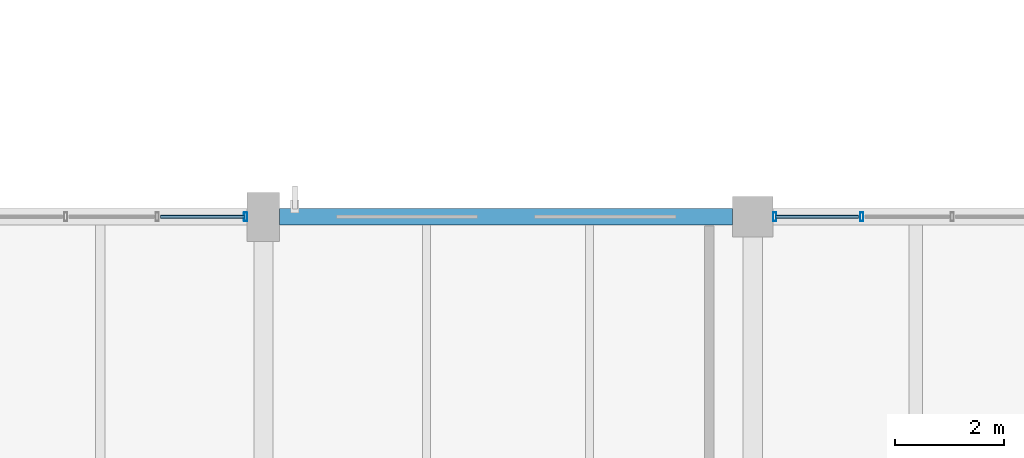
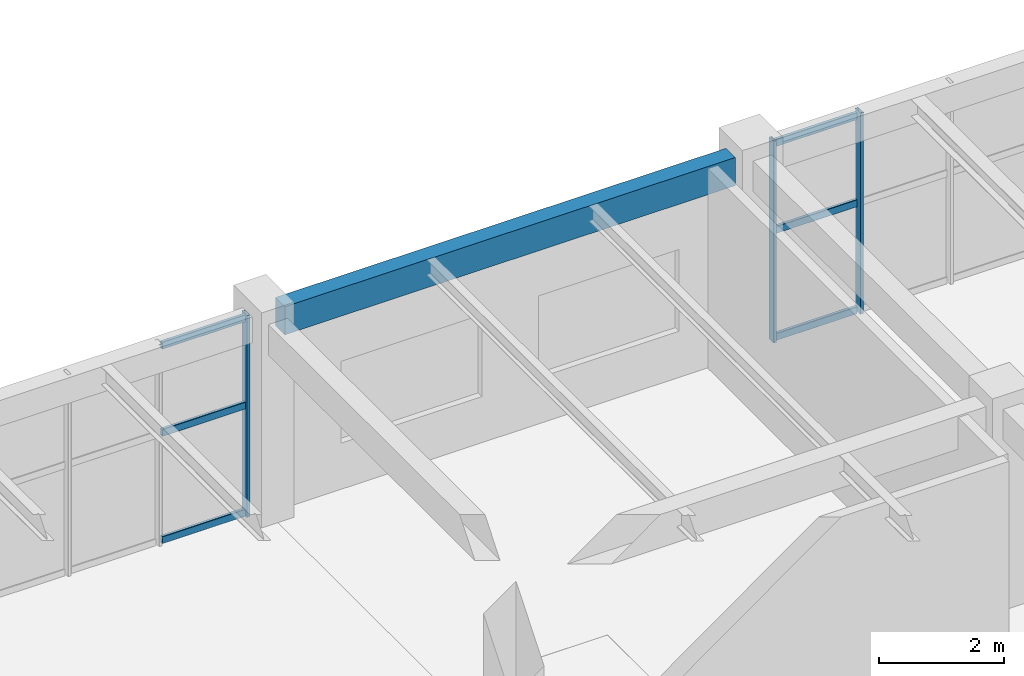
# One storey, part 95 of 128: 9 members, 1 beam, 2 elements without a shape of their own.
"""IFC4 building model written with IfcOpenShell, lengths in metres."""

from ifc_helpers import new_model, si_unit, derived_unit, direction, frame, origin, origin_2d, place, context, subcontext, project, spatial, rectangle, hollow_rectangle, extrude, material, material_profile, profile_set, type_object, element, aggregate, save


model = new_model("IFC4")

# Units and contexts
model_context = context("Model", 3, precision=1e-05, world=origin(), true_north=direction((0.0, 1.0)))
body_context = subcontext(model_context, "Body", "Model", "MODEL_VIEW")
ifc_project = project(units=[si_unit("LENGTHUNIT", "METRE"), si_unit("AREAUNIT", "SQUARE_METRE"), si_unit("VOLUMEUNIT", "CUBIC_METRE"), si_unit("PLANEANGLEUNIT", "RADIAN"), si_unit("MASSUNIT", "GRAM", prefix="KILO"), derived_unit("THERMALTRANSMITTANCEUNIT", [(si_unit("MASSUNIT", "GRAM", prefix="KILO"), 1), (si_unit("TIMEUNIT", "SECOND"), -3), (si_unit("THERMODYNAMICTEMPERATUREUNIT", "KELVIN"), -1)])], contexts=[model_context])

# Site, building, storey
site_placement = place(None, origin())
site = spatial("IfcSite", under=ifc_project, at=site_placement, CompositionType="ELEMENT")
building_placement = place(site_placement, origin())
building = spatial("IfcBuilding", under=site, at=building_placement, Name="Zhenchuan Archway Interchange", CompositionType="ELEMENT")
storey_placement = place(building_placement, frame((0.0, 0.0, 14.39990234375)))
storey = spatial("IfcBuildingStorey", under=building, at=storey_placement, Name="L03", CompositionType="ELEMENT", Elevation=14.39990234375)

# Curtain wall, member
ifc_material_1 = material(Name="Anodised Aluminium", Category="aluminium")
curtain_wall_type_1 = type_object("IfcCurtainWallType", Name="CW_UNIT_1", PredefinedType="NOTDEFINED", material=ifc_material_1)
curtain_wall_1_placement = place(storey_placement, origin())
curtain_wall_1 = element("IfcCurtainWall", 1, at=curtain_wall_1_placement, inside=storey, type_object=curtain_wall_type_1, Name="Unitised curtain wall CW:L03:176", PredefinedType="NOTDEFINED")
ifc_material_profile_1 = material_profile(ifc_material_1, hollow_rectangle(XDim=0.06005859375, YDim=0.159912109375, WallThickness=0.00390625, InnerFilletRadius=0.00390625, OuterFilletRadius=0.008056640625, at=origin_2d()), Name="ALU 160x60x4")
ifc_profile_set_1 = profile_set([ifc_material_profile_1], Name="Anodised Aluminium")
member_type_1 = type_object("IfcMemberType", Name="CW_MUL_150", PredefinedType="MULLION", material=ifc_profile_set_1)
member_1_placement = place(storey_placement, frame((143.672119140625, 104.0, 0.0), z_axis=(0.0, 0.0, 1.0), x_axis=(1.0, 0.0, 0.0)))
member_1 = element("IfcMember", 2, at=member_1_placement, type_object=member_type_1, Name="CW:L03:176 mullion 5", PredefinedType="MULLION", context=body_context, shape_type="SweptSolid", body=[
    extrude(hollow_rectangle(XDim=0.06005859375, YDim=0.159912109375, WallThickness=0.00390625, InnerFilletRadius=0.00390625, OuterFilletRadius=0.008056640625, at=origin_2d()), origin(), (0.0, 0.0, 1.0), 3.940185546875),
])

# Curtain wall, members
curtain_wall_type_2 = type_object("IfcCurtainWallType", Name="CW_UNIT_2", PredefinedType="NOTDEFINED", material=ifc_material_1)
curtain_wall_2_placement = place(storey_placement, origin())
curtain_wall_2 = element("IfcCurtainWall", 3, at=curtain_wall_2_placement, inside=storey, type_object=curtain_wall_type_2, Name="Unitised curtain wall CW:L03:177", PredefinedType="NOTDEFINED")
member_2_placement = place(storey_placement, frame((153.403076171875, 104.0, 0.0), z_axis=(0.0, 0.0, 1.0), x_axis=(1.0, 0.0, 0.0)))
member_2 = element("IfcMember", 4, at=member_2_placement, type_object=member_type_1, Name="CW:L03:177 mullion 0", PredefinedType="MULLION", context=body_context, shape_type="SweptSolid", body=[
    extrude(hollow_rectangle(XDim=0.06005859375, YDim=0.159912109375, WallThickness=0.00390625, InnerFilletRadius=0.00390625, OuterFilletRadius=0.008056640625, at=origin_2d()), origin(), (0.0, 0.0, 1.0), 3.93017578125),
])
member_3_placement = place(storey_placement, frame((155.005859375, 104.0, 0.0), z_axis=(0.0, 0.0, 1.0), x_axis=(1.0, 0.0, 0.0)))
member_3 = element("IfcMember", 5, at=member_3_placement, type_object=member_type_1, Name="CW:L03:177 mullion 1", PredefinedType="MULLION", context=body_context, shape_type="SweptSolid", body=[
    extrude(hollow_rectangle(XDim=0.06005859375, YDim=0.159912109375, WallThickness=0.00390625, InnerFilletRadius=0.00390625, OuterFilletRadius=0.008056640625, at=origin_2d()), origin(), (0.0, 0.0, 1.0), 3.93017578125),
])

# Member
ifc_material_profile_2 = material_profile(ifc_material_1, hollow_rectangle(XDim=0.06005859375, YDim=0.139892578125, WallThickness=0.00341796875, InnerFilletRadius=0.00341796875, OuterFilletRadius=0.007080078125, at=origin_2d()), Name="ALU 140x60x3.5")
ifc_profile_set_2 = profile_set([ifc_material_profile_2], Name="Anodised Aluminium")
member_type_2 = type_object("IfcMemberType", Name="CW_TRN_140", PredefinedType="USERDEFINED", material=ifc_profile_set_2)
member_4_placement = place(storey_placement, frame((142.109130859375, 104.0, 0.06005859375), z_axis=(1.0, 0.0, 0.0), x_axis=(0.0, 1.0, 0.0)))
member_4 = element("IfcMember", 6, at=member_4_placement, type_object=member_type_2, Name="CW:L03:176 transom 4-1", ObjectType="TRANSOM", PredefinedType="USERDEFINED", context=body_context, shape_type="SweptSolid", body=[
    extrude(hollow_rectangle(XDim=0.06005859375, YDim=0.139892578125, WallThickness=0.00341796875, InnerFilletRadius=0.00341796875, OuterFilletRadius=0.007080078125, at=origin_2d()), origin(), (0.0, 0.0, 1.0), 1.54296875),
])

member_5_placement = place(storey_placement, frame((142.109130859375, 104.0, 2.156005859375), z_axis=(1.0, 0.0, 0.0), x_axis=(0.0, 1.0, 0.0)))
member_5 = element("IfcMember", 7, at=member_5_placement, type_object=member_type_2, Name="CW:L03:176 transom 4-2", ObjectType="TRANSOM", PredefinedType="USERDEFINED", context=body_context, shape_type="SweptSolid", body=[
    extrude(hollow_rectangle(XDim=0.06005859375, YDim=0.139892578125, WallThickness=0.00341796875, InnerFilletRadius=0.00341796875, OuterFilletRadius=0.007080078125, at=origin_2d()), origin(), (0.0, 0.0, 1.0), 1.54296875),
])

member_6_placement = place(storey_placement, frame((142.109130859375, 104.0, 3.860107421875), z_axis=(1.0, 0.0, 0.0), x_axis=(0.0, 1.0, 0.0)))
member_6 = element("IfcMember", 8, at=member_6_placement, type_object=member_type_2, Name="CW:L03:176 transom 4-3", ObjectType="TRANSOM", PredefinedType="USERDEFINED", context=body_context, shape_type="SweptSolid", body=[
    extrude(hollow_rectangle(XDim=0.06005859375, YDim=0.139892578125, WallThickness=0.00341796875, InnerFilletRadius=0.00341796875, OuterFilletRadius=0.007080078125, at=origin_2d()), origin(), (0.0, 0.0, 1.0), 1.54296875),
])

aggregate(curtain_wall_1, [member_1, member_4, member_5, member_6])

member_7_placement = place(storey_placement, frame((153.423095703125, 104.0, 0.06005859375), z_axis=(1.0, 0.0, 0.0), x_axis=(0.0, 1.0, 0.0)))
member_7 = element("IfcMember", 9, at=member_7_placement, type_object=member_type_2, Name="CW:L03:177 transom 0-1", ObjectType="TRANSOM", PredefinedType="USERDEFINED", context=body_context, shape_type="SweptSolid", body=[
    extrude(hollow_rectangle(XDim=0.06005859375, YDim=0.139892578125, WallThickness=0.00341796875, InnerFilletRadius=0.00341796875, OuterFilletRadius=0.007080078125, at=origin_2d()), origin(), (0.0, 0.0, 1.0), 1.522705078125),
])

member_8_placement = place(storey_placement, frame((153.423095703125, 104.0, 2.150634765625), z_axis=(1.0, 0.0, 0.0), x_axis=(0.0, 1.0, 0.0)))
member_8 = element("IfcMember", 10, at=member_8_placement, type_object=member_type_2, Name="CW:L03:177 transom 0-2", ObjectType="TRANSOM", PredefinedType="USERDEFINED", context=body_context, shape_type="SweptSolid", body=[
    extrude(hollow_rectangle(XDim=0.06005859375, YDim=0.139892578125, WallThickness=0.00341796875, InnerFilletRadius=0.00341796875, OuterFilletRadius=0.007080078125, at=origin_2d()), origin(), (0.0, 0.0, 1.0), 1.522705078125),
])

member_9_placement = place(storey_placement, frame((153.423095703125, 104.0, 3.85009765625), z_axis=(1.0, 0.0, 0.0), x_axis=(0.0, 1.0, 0.0)))
member_9 = element("IfcMember", 11, at=member_9_placement, type_object=member_type_2, Name="CW:L03:177 transom 0-3", ObjectType="TRANSOM", PredefinedType="USERDEFINED", context=body_context, shape_type="SweptSolid", body=[
    extrude(hollow_rectangle(XDim=0.06005859375, YDim=0.139892578125, WallThickness=0.00341796875, InnerFilletRadius=0.00341796875, OuterFilletRadius=0.007080078125, at=origin_2d()), origin(), (0.0, 0.0, 1.0), 1.522705078125),
])

aggregate(curtain_wall_2, [member_2, member_3, member_7, member_8, member_9])

# Beam
ifc_material_2 = material(Name="Concrete C40", Category="concrete")
ifc_material_profile_3 = material_profile(ifc_material_2, rectangle(XDim=0.300048828125, YDim=0.550048828125, at=origin_2d()), Name="RC 300x550")
ifc_profile_set_3 = profile_set([ifc_material_profile_3], Name="Concrete C40")
beam_type = type_object("IfcBeamType", Name="SP_RC_300x550", PredefinedType="SPANDREL", material=ifc_profile_set_3)
beam_placement = place(storey_placement, frame((144.300048828125, 104.0, 3.655029296875), z_axis=(1.0, 0.0, 0.0), x_axis=(0.0, 1.0, 0.0)))
element("IfcBeam", 12, at=beam_placement, inside=storey, type_object=beam_type, Name="Beam O:17-18 (L03)", PredefinedType="SPANDREL", context=body_context, shape_type="SweptSolid", body=[
    extrude(rectangle(XDim=0.300048828125, YDim=0.550048828125, at=origin_2d()), origin(), (0.0, 0.0, 1.0), 8.324951171875),
])

save(model, "model.ifc")
